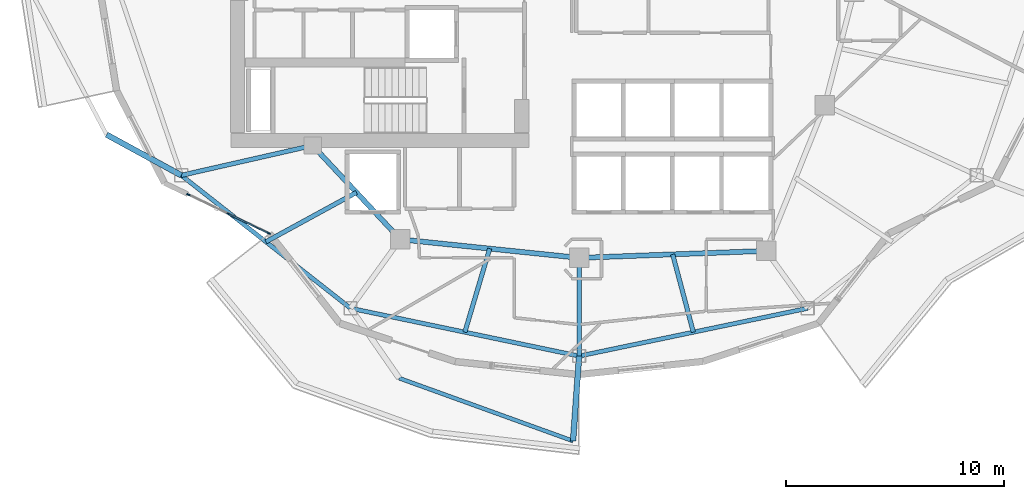
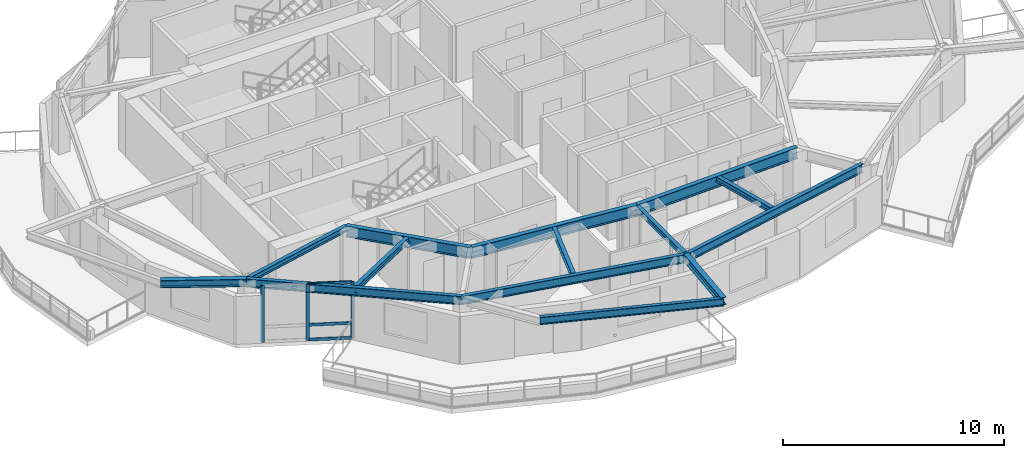
# One storey, part 2 of 13: 14 beams, 6 members, 1 element without a shape of its own.
"""IFC4 building model written with IfcOpenShell, lengths in metres."""

import ifcopenshell
import ifcopenshell.guid

model = None  # the IFC model being written
_history = None  # IfcOwnerHistory: only IFC2X3 demands one
_inside = {}  # id of a spatial element -> (the spatial element, [elements in it])
_under = {}  # id of a project, library or spatial element -> (it, [spatial elements below it])
_declared = {}  # id of a project -> (the project, [libraries it declares])
_typed = {}  # id of a type object -> (the type object, [elements of that type])
_made_of = {}  # id of a material, layer set ... -> (it, [elements and type objects made of it])


def new_model(schema):
    """Start an empty IFC model of exactly this schema.

    Asked for "IFC4X3", IfcOpenShell would pick the latest addendum, in which some entities
    have other attributes; the version numbers below select the first issue.
    IFC2X3 requires an IfcOwnerHistory on every rooted entity: one is made here for all.
    """
    global model, _history
    if schema == "IFC4X3":
        model = ifcopenshell.file(schema_version=(4, 3, 0, 0))
    else:
        model = ifcopenshell.file(schema=schema)
    _inside.clear()
    _under.clear()
    _declared.clear()
    _typed.clear()
    _made_of.clear()
    _history = None
    if model.schema == "IFC2X3":
        org = make("IfcOrganization", Name="unknown")
        user = make(
            "IfcPersonAndOrganization",
            ThePerson=make("IfcPerson", FamilyName="unknown"),
            TheOrganization=org,
        )
        app = make(
            "IfcApplication",
            ApplicationDeveloper=org,
            Version="unknown",
            ApplicationFullName="unknown",
            ApplicationIdentifier="unknown",
        )
        _history = make(
            "IfcOwnerHistory",
            OwningUser=user,
            OwningApplication=app,
            ChangeAction="ADDED",
            CreationDate=0,
        )
    return model


def make(cls, **values):
    """One entity of the class cls with the attributes given. An attribute that is None is left unset."""
    return model.create_entity(
        cls, **{name: value for name, value in values.items() if value is not None}
    )


def rooted(cls, **values):
    """An entity with a GlobalId (a new one), such as an element, a storey or a relation."""
    return make(cls, GlobalId=ifcopenshell.guid.new(), OwnerHistory=_history, **values)


def si_unit(unit_type, name, prefix=None):
    """IfcSIUnit, for example si_unit("LENGTHUNIT", "METRE", prefix="MILLI")."""
    return make("IfcSIUnit", UnitType=unit_type, Prefix=prefix, Name=name)


def assignment(units):
    """IfcUnitAssignment: the units of a project."""
    return None if units is None else make("IfcUnitAssignment", Units=units)


def point(xyz):
    """IfcCartesianPoint."""
    return None if xyz is None else make("IfcCartesianPoint", Coordinates=xyz)


def direction(xyz):
    """IfcDirection."""
    return None if xyz is None else make("IfcDirection", DirectionRatios=xyz)


def frame(location, z_axis=None, x_axis=None):
    """IfcAxis2Placement3D, a coordinate frame: its origin and axes. An axis left out is left unset."""
    return make(
        "IfcAxis2Placement3D",
        Location=point(location),
        Axis=direction(z_axis),
        RefDirection=direction(x_axis),
    )


def frame_2d(location, x_axis=None):
    """IfcAxis2Placement2D, a coordinate frame in the plane: its origin and x axis."""
    return make(
        "IfcAxis2Placement2D", Location=point(location), RefDirection=direction(x_axis)
    )


def origin():
    """The frame at (0, 0, 0) with its axes left unset."""
    return frame((0.0, 0.0, 0.0))


def origin_2d():
    """The frame at (0, 0) in the plane with its x axis left unset."""
    return frame_2d((0.0, 0.0))


def place(relative_to, where):
    """IfcLocalPlacement: puts the frame where relative to a parent placement (None: the world)."""
    return make(
        "IfcLocalPlacement", PlacementRelTo=relative_to, RelativePlacement=where
    )


def context(
    kind, dimensions, precision=None, world=None, true_north=None, identifier=None
):
    """IfcGeometricRepresentationContext, for example the 3D "Model" context."""
    return make(
        "IfcGeometricRepresentationContext",
        ContextIdentifier=identifier,
        ContextType=kind,
        CoordinateSpaceDimension=dimensions,
        Precision=precision,
        WorldCoordinateSystem=world,
        TrueNorth=true_north,
    )


def subcontext(parent, identifier, kind, view, scale=None):
    """IfcGeometricRepresentationSubContext, for example "Body" below "Model"."""
    return make(
        "IfcGeometricRepresentationSubContext",
        ContextIdentifier=identifier,
        ContextType=kind,
        ParentContext=parent,
        TargetScale=scale,
        TargetView=view,
    )


def project(units=None, contexts=None):
    """IfcProject with its units and contexts."""
    return rooted(
        "IfcProject",
        Name="project",
        RepresentationContexts=contexts,
        UnitsInContext=assignment(units),
    )


def spatial(cls, under=None, at=None, **own):
    """A site, building, storey or space (cls), placed at a placement, below another one or the project."""
    s = rooted(cls, ObjectPlacement=at, **own)
    if under is not None:
        _under.setdefault(under.id(), (under, []))[1].append(s)
    return s


def profile(cls, at=None, kind="AREA", **sizes):
    """A parametric profile (cls). Its sizes go by their IFC names, for example OverallWidth=200.0."""
    return make(cls, ProfileType=kind, Position=at, **sizes)


def rectangle(**sizes):
    """IfcRectangleProfileDef."""
    return profile("IfcRectangleProfileDef", **sizes)


def i_section(**sizes):
    """IfcIShapeProfileDef."""
    return profile("IfcIShapeProfileDef", **sizes)


def extrude(swept, where, along, depth):
    """IfcExtrudedAreaSolid: the profile swept, set in the frame where, extruded along a direction by depth."""
    return make(
        "IfcExtrudedAreaSolid",
        SweptArea=swept,
        Position=where,
        ExtrudedDirection=direction(along),
        Depth=depth,
    )


def shape(context_of_items, identifier, shape_type, items):
    """IfcShapeRepresentation: the items that make up one representation, for example the "Body"."""
    return make(
        "IfcShapeRepresentation",
        ContextOfItems=context_of_items,
        RepresentationIdentifier=identifier,
        RepresentationType=shape_type,
        Items=items,
    )


def material(Name=None, Category=None):
    """IfcMaterial."""
    return make("IfcMaterial", Name=Name, Category=Category)


def layer(
    of_material, thickness, ventilated=None, Name=None, Category=None, Priority=None
):
    """IfcMaterialLayer: one layer of a wall or slab, of a material (None: an air gap)."""
    return make(
        "IfcMaterialLayer",
        Material=of_material,
        LayerThickness=thickness,
        IsVentilated=ventilated,
        Name=Name,
        Category=Category,
        Priority=Priority,
    )


def layer_set(layers, Name=None):
    """IfcMaterialLayerSet."""
    return make("IfcMaterialLayerSet", MaterialLayers=layers, LayerSetName=Name)


def material_profile(
    of_material, cross_section, Name=None, Category=None, Priority=None
):
    """IfcMaterialProfile: a cross section and its material."""
    return make(
        "IfcMaterialProfile",
        Name=Name,
        Material=of_material,
        Profile=cross_section,
        Priority=Priority,
        Category=Category,
    )


def profile_set(profiles, Name=None, composite=None):
    """IfcMaterialProfileSet."""
    return make(
        "IfcMaterialProfileSet",
        Name=Name,
        MaterialProfiles=profiles,
        CompositeProfile=composite,
    )


def made_of(thing, what):
    """Note that an element or type object is made of a material, layer set ...; save() writes the relation."""
    if what is not None:
        _made_of.setdefault(what.id(), (what, []))[1].append(thing)
    return thing


def type_object(cls, material=None, **own):
    """A type object (cls), such as IfcWallType, which elements share."""
    return made_of(rooted(cls, **own), material)


def element(
    cls,
    number,
    at=None,
    inside=None,
    cuts=None,
    type_object=None,
    material=None,
    context=None,
    identifier="Body",
    shape_type=None,
    held_by="IfcProductDefinitionShape",
    body=None,
    shapes=None,
    **own,
):
    """One element of the class cls, such as IfcWall. Its Tag is "e" and its number.

    at: its placement. inside: the storey or other place that contains it. cuts: it is an
    opening in that element (IfcRelVoidsElement). A single representation is given by context,
    identifier, shape_type and body (its items); several are given by shapes. held_by: the class
    of the entity that holds the representations. save() writes the other relations.
    """
    e = rooted(cls, Tag="e%d" % number, ObjectPlacement=at, **own)
    if body is not None:
        shapes = [shape(context, identifier, shape_type, body)]
    if shapes is not None:
        e.Representation = make(held_by, Representations=shapes)
    if inside is not None:
        _inside.setdefault(inside.id(), (inside, []))[1].append(e)
    if cuts is not None:
        rooted(
            "IfcRelVoidsElement", RelatingBuildingElement=cuts, RelatedOpeningElement=e
        )
    if type_object is not None:
        _typed.setdefault(type_object.id(), (type_object, []))[1].append(e)
    return made_of(e, material)


def aggregate(whole, parts):
    """IfcRelAggregates: a whole, such as a stair, and the parts it consists of."""
    return rooted("IfcRelAggregates", RelatingObject=whole, RelatedObjects=parts)


def save(model, path):
    """Write the relations noted so far, then the file.

    IfcRelAggregates (storeys below a building ...), IfcRelContainedInSpatialStructure (elements
    in a storey), IfcRelDefinesByType, IfcRelAssociatesMaterial and IfcRelDeclares: one each for
    every whole, place, type object, material and project.
    """
    for whole, parts in _under.values():
        aggregate(whole, parts)
    for where, things in _inside.values():
        rooted(
            "IfcRelContainedInSpatialStructure",
            RelatedElements=things,
            RelatingStructure=where,
        )
    for kind, things in _typed.values():
        rooted("IfcRelDefinesByType", RelatedObjects=things, RelatingType=kind)
    for what, things in _made_of.values():
        rooted("IfcRelAssociatesMaterial", RelatedObjects=things, RelatingMaterial=what)
    for by, libraries in _declared.values():
        rooted("IfcRelDeclares", RelatingContext=by, RelatedDefinitions=libraries)
    model.write(path)


model = new_model("IFC4")

# Units and contexts
model_context = context("Model", 3, precision=1e-05, world=origin(), true_north=direction((0.0, 1.0)))
body_context = subcontext(model_context, "Body", "Model", "MODEL_VIEW")
ifc_project = project(units=[si_unit("LENGTHUNIT", "METRE"), si_unit("AREAUNIT", "SQUARE_METRE"), si_unit("VOLUMEUNIT", "CUBIC_METRE"), si_unit("PLANEANGLEUNIT", "RADIAN"), si_unit("MASSUNIT", "GRAM", prefix="KILO")], contexts=[model_context])

# Site, building, storey
site_placement = place(None, origin())
site = spatial("IfcSite", under=ifc_project, at=site_placement, CompositionType="ELEMENT")
building_placement = place(site_placement, origin())
building = spatial("IfcBuilding", under=site, at=building_placement, Name="Kolvaren Gate Tower and Convention Centre", CompositionType="ELEMENT")
storey_placement = place(building_placement, frame((0.0, 0.0, 156.300048828125)))
storey = spatial("IfcBuildingStorey", under=building, at=storey_placement, Name="L40", CompositionType="ELEMENT", Elevation=156.300048828125)

# Curtain wall, members
ifc_material_1 = material(Name="Anodized Architectural Aluminium Alloy 6063-T6", Category="aluminium")
ifc_layer = layer(ifc_material_1, 0.159912109375)
ifc_layer_set = layer_set([ifc_layer], Name="Anodized Architectural Aluminium Alloy 6063-T6")
curtain_wall_type = type_object("IfcCurtainWallType", Name="CW-HTL-UNIT", PredefinedType="NOTDEFINED", material=ifc_layer_set)
curtain_wall_placement = place(storey_placement, origin())
curtain_wall = element("IfcCurtainWall", 1, at=curtain_wall_placement, inside=storey, type_object=curtain_wall_type, Name="Tower L40 Unitised Curtain Wall CW-HTL-UNIT Bay 14", PredefinedType="NOTDEFINED")
ifc_material_profile_1 = material_profile(ifc_material_1, rectangle(XDim=0.06494140625, YDim=0.159912109375, at=origin_2d()), Name="CW-MEM-MUL-160")
ifc_profile_set_1 = profile_set([ifc_material_profile_1], Name="Anodized Architectural Aluminium Alloy 6063-T6")
member_type_1 = type_object("IfcMemberType", Name="CW-MEM-MUL-160", PredefinedType="MULLION", material=ifc_profile_set_1)
member_1_placement = place(storey_placement, frame((12.220458984375, 17.699462890625, 0.0), z_axis=(0.0, 0.0, 1.0), x_axis=(0.433065112035, 0.901362639973, 0.0)))
member_1 = element("IfcMember", 2, at=member_1_placement, type_object=member_type_1, Name="CW-03 mullion 1", PredefinedType="MULLION", context=body_context, shape_type="SweptSolid", body=[
    extrude(rectangle(XDim=0.06494140625, YDim=0.159912109375, at=origin_2d()), origin(), (0.0, 0.0, 1.0), 3.1298828125),
])
member_2_placement = place(storey_placement, frame((14.063720703125, 16.813720703125, 0.0), z_axis=(0.0, 0.0, 1.0), x_axis=(0.433065112035, 0.901362639973, 0.0)))
member_2 = element("IfcMember", 3, at=member_2_placement, type_object=member_type_1, Name="CW-03 mullion 2", PredefinedType="MULLION", context=body_context, shape_type="SweptSolid", body=[
    extrude(rectangle(XDim=0.06494140625, YDim=0.159912109375, at=origin_2d()), origin(), (0.0, 0.0, 1.0), 3.1298828125),
])
member_3_placement = place(storey_placement, frame((15.9072265625, 15.927978515625, 0.0), z_axis=(0.0, 0.0, 1.0), x_axis=(0.433065112035, 0.901362639973, 0.0)))
member_3 = element("IfcMember", 4, at=member_3_placement, type_object=member_type_1, Name="CW-03 mullion 3", PredefinedType="MULLION", context=body_context, shape_type="SweptSolid", body=[
    extrude(rectangle(XDim=0.06494140625, YDim=0.159912109375, at=origin_2d()), origin(), (0.0, 0.0, 1.0), 3.1298828125),
])
ifc_material_profile_2 = material_profile(ifc_material_1, rectangle(XDim=0.06494140625, YDim=0.159912109375, at=origin_2d()), Name="CW-MEM-TRN-160")
ifc_profile_set_2 = profile_set([ifc_material_profile_2], Name="Anodized Architectural Aluminium Alloy 6063-T6")
member_type_2 = type_object("IfcMemberType", Name="CW-MEM-TRN-160", PredefinedType="USERDEFINED", material=ifc_profile_set_2)
member_4_placement = place(storey_placement, frame((14.093017578125, 16.799560546875, 0.032470703125), z_axis=(0.90139218823, -0.433003606218, 0.0), x_axis=(0.433003606218, 0.90139218823, 0.0)))
member_4 = element("IfcMember", 5, at=member_4_placement, type_object=member_type_2, Name="CW-03 transom 2.1", ObjectType="TRANSOM", PredefinedType="USERDEFINED", context=body_context, shape_type="SweptSolid", body=[
    extrude(rectangle(XDim=0.06494140625, YDim=0.159912109375, at=origin_2d()), origin(), (0.0, 0.0, 1.0), 1.980224609375),
])
member_5_placement = place(storey_placement, frame((14.093017578125, 16.799560546875, 0.849853515625), z_axis=(0.90139218823, -0.433003606218, 0.0), x_axis=(0.433003606218, 0.90139218823, 0.0)))
member_5 = element("IfcMember", 6, at=member_5_placement, type_object=member_type_2, Name="CW-03 transom 2.2", ObjectType="TRANSOM", PredefinedType="USERDEFINED", context=body_context, shape_type="SweptSolid", body=[
    extrude(rectangle(XDim=0.06494140625, YDim=0.159912109375, at=origin_2d()), origin(), (0.0, 0.0, 1.0), 1.980224609375),
])
member_6_placement = place(storey_placement, frame((14.093017578125, 16.799560546875, 3.097412109375), z_axis=(0.90139218823, -0.433003606218, 0.0), x_axis=(0.433003606218, 0.90139218823, 0.0)))
member_6 = element("IfcMember", 7, at=member_6_placement, type_object=member_type_2, Name="CW-03 transom 2.3", ObjectType="TRANSOM", PredefinedType="USERDEFINED", context=body_context, shape_type="SweptSolid", body=[
    extrude(rectangle(XDim=0.06494140625, YDim=0.159912109375, at=origin_2d()), origin(), (0.0, 0.0, 1.0), 1.980224609375),
])
aggregate(curtain_wall, [member_1, member_2, member_3, member_4, member_5, member_6])

# Beams
ifc_material_2 = material(Name="Structural steel ASTM A992 Grade 345 MPa", Category="steel")
ifc_material_profile_3 = material_profile(ifc_material_2, i_section(OverallWidth=0.260009765625, OverallDepth=0.419921875, WebThickness=0.013427734375, FlangeThickness=0.0224609375, at=origin_2d()), Name="W410X132")
ifc_profile_set_3 = profile_set([ifc_material_profile_3], Name="Structural steel ASTM A992 Grade 345 MPa")
beam_type_1 = type_object("IfcBeamType", Name="STR-BM-W410X132", PredefinedType="BEAM", material=ifc_profile_set_3)
beam_1_placement = place(storey_placement, frame((11.898193359375, 18.581298828125, 2.92041015625), z_axis=(-0.878175335842, 0.47833887519, 0.0), x_axis=(-0.47833887519, -0.878175335842, 0.0)))
element("IfcBeam", 8, at=beam_1_placement, inside=storey, type_object=beam_type_1, Name="Tower L41 Planted Balcony Outrigger Cantilever BC-2B", PredefinedType="BEAM", context=body_context, shape_type="SweptSolid", body=[
    extrude(i_section(OverallWidth=0.260009765625, OverallDepth=0.419921875, WebThickness=0.013427734375, FlangeThickness=0.0224609375, at=origin_2d()), origin(), (0.0, 0.0, 1.0), 3.89990234375),
])
beam_2_placement = place(storey_placement, frame((30.125, 10.300048828125, 2.92041015625), z_axis=(-0.071238152604, -0.997459335318, 0.0), x_axis=(0.997459335318, -0.071238152604, 0.0)))
element("IfcBeam", 9, at=beam_2_placement, inside=storey, type_object=beam_type_1, Name="Tower L41 Planted Balcony Outrigger Cantilever BC-3B", PredefinedType="BEAM", context=body_context, shape_type="SweptSolid", body=[
    extrude(i_section(OverallWidth=0.260009765625, OverallDepth=0.419921875, WebThickness=0.013427734375, FlangeThickness=0.0224609375, at=origin_2d()), origin(), (0.0, 0.0, 1.0), 3.900146484375),
])
ifc_material_profile_4 = material_profile(ifc_material_2, i_section(OverallWidth=0.22998046875, OverallDepth=0.616943359375, WebThickness=0.01318359375, FlangeThickness=0.022216796875, at=origin_2d()), Name="W610X140")
ifc_profile_set_4 = profile_set([ifc_material_profile_4], Name="Structural steel ASTM A992 Grade 345 MPa")
beam_type_2 = type_object("IfcBeamType", Name="STR-BM-W610X140", PredefinedType="BEAM", material=ifc_profile_set_4)
beam_3_placement = place(storey_placement, frame((17.9140625, 19.949951171875, 2.821533203125), z_axis=(0.682557592987, -0.730831808459, 0.0), x_axis=(0.730831808459, 0.682557592987, 0.0)))
element("IfcBeam", 10, at=beam_3_placement, inside=storey, type_object=beam_type_2, Name="Tower L40 Primary Ring Girder G-06", PredefinedType="BEAM", context=body_context, shape_type="SweptSolid", body=[
    extrude(i_section(OverallWidth=0.22998046875, OverallDepth=0.616943359375, WebThickness=0.01318359375, FlangeThickness=0.022216796875, at=origin_2d()), origin(), (0.0, 0.0, 1.0), 5.88671875),
])
beam_4_placement = place(storey_placement, frame((21.93212890625, 15.647705078125, 2.821533203125), z_axis=(0.994690329115, -0.102913308978, 0.0), x_axis=(0.102913308978, 0.994690329115, 0.0)))
element("IfcBeam", 11, at=beam_4_placement, inside=storey, type_object=beam_type_2, Name="Tower L40 Primary Ring Girder G-07", PredefinedType="BEAM", context=body_context, shape_type="SweptSolid", body=[
    extrude(i_section(OverallWidth=0.22998046875, OverallDepth=0.616943359375, WebThickness=0.01318359375, FlangeThickness=0.022216796875, at=origin_2d()), origin(), (0.0, 0.0, 1.0), 8.236572265625),
])
beam_5_placement = place(storey_placement, frame((30.125, 14.800048828125, 2.821533203125), z_axis=(0.999301712453, 0.037364254142, 0.0), x_axis=(-0.037364254142, 0.999301712453, 0.0)))
element("IfcBeam", 12, at=beam_5_placement, inside=storey, type_object=beam_type_2, Name="Tower L40 Primary Ring Girder G-08", PredefinedType="BEAM", context=body_context, shape_type="SweptSolid", body=[
    extrude(i_section(OverallWidth=0.22998046875, OverallDepth=0.616943359375, WebThickness=0.01318359375, FlangeThickness=0.022216796875, at=origin_2d()), origin(), (0.0, 0.0, 1.0), 8.579345703125),
])
ifc_material_profile_5 = material_profile(ifc_material_2, i_section(OverallWidth=0.205078125, OverallDepth=0.31005859375, WebThickness=0.009521484375, FlangeThickness=0.016357421875, at=origin_2d()), Name="W310X74")
ifc_profile_set_5 = profile_set([ifc_material_profile_5], Name="Structural steel ASTM A992 Grade 345 MPa")
beam_type_3 = type_object("IfcBeamType", Name="STR-JS-W310X74", PredefinedType="JOIST", material=ifc_profile_set_5)
beam_6_placement = place(storey_placement, frame((17.9140625, 19.949951171875, 2.974853515625), z_axis=(-0.975083464295, -0.221838314226, 0.0), x_axis=(0.221838314226, -0.975083464295, 0.0)))
element("IfcBeam", 13, at=beam_6_placement, inside=storey, type_object=beam_type_3, Name="Tower L40 Radial Floor Girder RB-08", PredefinedType="JOIST", context=body_context, shape_type="SweptSolid", body=[
    extrude(i_section(OverallWidth=0.205078125, OverallDepth=0.31005859375, WebThickness=0.009521484375, FlangeThickness=0.016357421875, at=origin_2d()), origin(), (0.0, 0.0, 1.0), 6.169677734375),
])
beam_7_placement = place(storey_placement, frame((30.125, 14.800048828125, 2.974853515625), z_axis=(0.0, -1.0, 0.0), x_axis=(1.0, 0.0, 0.0)))
element("IfcBeam", 14, at=beam_7_placement, inside=storey, type_object=beam_type_3, Name="Tower L40 Radial Floor Girder RB-10", PredefinedType="JOIST", context=body_context, shape_type="SweptSolid", body=[
    extrude(i_section(OverallWidth=0.205078125, OverallDepth=0.31005859375, WebThickness=0.009521484375, FlangeThickness=0.016357421875, at=origin_2d()), origin(), (0.0, 0.0, 1.0), 4.5),
])
beam_8_placement = place(storey_placement, frame((19.923095703125, 17.798828125, 2.974853515625), z_axis=(-0.877822491981, -0.478986088078, 0.0), x_axis=(0.478986088078, -0.877822491981, 0.0)))
element("IfcBeam", 15, at=beam_8_placement, inside=storey, type_object=beam_type_3, Name="Tower L40 Secondary Composite Floor Joist J-08.1", PredefinedType="JOIST", context=body_context, shape_type="SweptSolid", body=[
    extrude(i_section(OverallWidth=0.205078125, OverallDepth=0.31005859375, WebThickness=0.009521484375, FlangeThickness=0.016357421875, at=origin_2d()), origin(), (0.0, 0.0, 1.0), 4.724365234375),
])
beam_9_placement = place(storey_placement, frame((26.028564453125, 15.223876953125, 2.974853515625), z_axis=(-0.28518274301, -0.958473162425, 0.0), x_axis=(0.958473162425, -0.28518274301, 0.0)))
element("IfcBeam", 16, at=beam_9_placement, inside=storey, type_object=beam_type_3, Name="Tower L40 Secondary Composite Floor Joist J-09.1", PredefinedType="JOIST", context=body_context, shape_type="SweptSolid", body=[
    extrude(i_section(OverallWidth=0.205078125, OverallDepth=0.31005859375, WebThickness=0.009521484375, FlangeThickness=0.016357421875, at=origin_2d()), origin(), (0.0, 0.0, 1.0), 3.994384765625),
])
beam_10_placement = place(storey_placement, frame((34.41162109375, 14.960205078125, 2.974853515625), z_axis=(0.257238365181, -0.966347982602, 0.0), x_axis=(0.966347982602, 0.257238365181, 0.0)))
element("IfcBeam", 17, at=beam_10_placement, inside=storey, type_object=beam_type_3, Name="Tower L40 Secondary Composite Floor Joist J-10.1", PredefinedType="JOIST", context=body_context, shape_type="SweptSolid", body=[
    extrude(i_section(OverallWidth=0.205078125, OverallDepth=0.31005859375, WebThickness=0.009521484375, FlangeThickness=0.016357421875, at=origin_2d()), origin(), (0.0, 0.0, 1.0), 3.68896484375),
])
ifc_material_profile_6 = material_profile(ifc_material_2, i_section(OverallWidth=0.180908203125, OverallDepth=0.4169921875, WebThickness=0.010986328125, FlangeThickness=0.018310546875, at=origin_2d()), Name="W410X85")
ifc_profile_set_6 = profile_set([ifc_material_profile_6], Name="Structural steel ASTM A992 Grade 345 MPa")
beam_type_4 = type_object("IfcBeamType", Name="STR-SP-W410X85", PredefinedType="SPANDREL", material=ifc_profile_set_6)
beam_11_placement = place(storey_placement, frame((21.8798828125, 9.288330078125, 2.921875), z_axis=(0.940503253062, -0.339784683263, 0.0), x_axis=(0.339784683263, 0.940503253062, 0.0)))
element("IfcBeam", 18, at=beam_11_placement, inside=storey, type_object=beam_type_4, Name="Tower L41 Planted Balcony Header Tie Beam BT-3", PredefinedType="SPANDREL", context=body_context, shape_type="SweptSolid", body=[
    extrude(i_section(OverallWidth=0.180908203125, OverallDepth=0.4169921875, WebThickness=0.010986328125, FlangeThickness=0.018310546875, at=origin_2d()), origin(), (0.0, 0.0, 1.0), 8.47119140625),
])
ifc_material_profile_7 = material_profile(ifc_material_2, i_section(OverallWidth=0.194091796875, OverallDepth=0.468994140625, WebThickness=0.0126953125, FlangeThickness=0.0205078125, at=origin_2d()), Name="W460X106")
ifc_profile_set_7 = profile_set([ifc_material_profile_7], Name="Structural steel ASTM A992 Grade 345 MPa")
beam_type_5 = type_object("IfcBeamType", Name="STR-SP-W460X106", PredefinedType="SPANDREL", material=ifc_profile_set_7)
beam_12_placement = place(storey_placement, frame((11.898193359375, 18.581298828125, 2.8955078125), z_axis=(0.786450621777, -0.617653154697, 0.0), x_axis=(0.617653154697, 0.786450621777, 0.0)))
element("IfcBeam", 19, at=beam_12_placement, inside=storey, type_object=beam_type_5, Name="Tower L40 Perimeter Spandrel Beam SP-08", PredefinedType="SPANDREL", context=body_context, shape_type="SweptSolid", body=[
    extrude(i_section(OverallWidth=0.194091796875, OverallDepth=0.468994140625, WebThickness=0.0126953125, FlangeThickness=0.0205078125, at=origin_2d()), origin(), (0.0, 0.0, 1.0), 9.861328125),
])
for number, where, z_axis, x_axis, name in (
    (20, (19.653564453125, 12.490478515625, 2.8955078125), (0.978814350133, -0.204749769168, 0.0), (0.204749769168, 0.978814350133, 0.0), "Tower L40 Perimeter Spandrel Beam SP-09"),
    (21, (30.125, 10.300048828125, 2.8955078125), (0.978814350133, 0.204749769168, 0.0), (-0.204749769168, 0.978814350133, 0.0), "Tower L40 Perimeter Spandrel Beam SP-10"),
):
    element("IfcBeam", number, at=place(storey_placement, frame(where, z_axis=z_axis, x_axis=x_axis)), inside=storey, type_object=beam_type_5, Name=name, PredefinedType="SPANDREL", context=body_context, shape_type="SweptSolid", body=[
        extrude(i_section(OverallWidth=0.194091796875, OverallDepth=0.468994140625, WebThickness=0.0126953125, FlangeThickness=0.0205078125, at=origin_2d()), origin(), (0.0, 0.0, 1.0), 10.697998046875),
    ])

save(model, "model.ifc")
